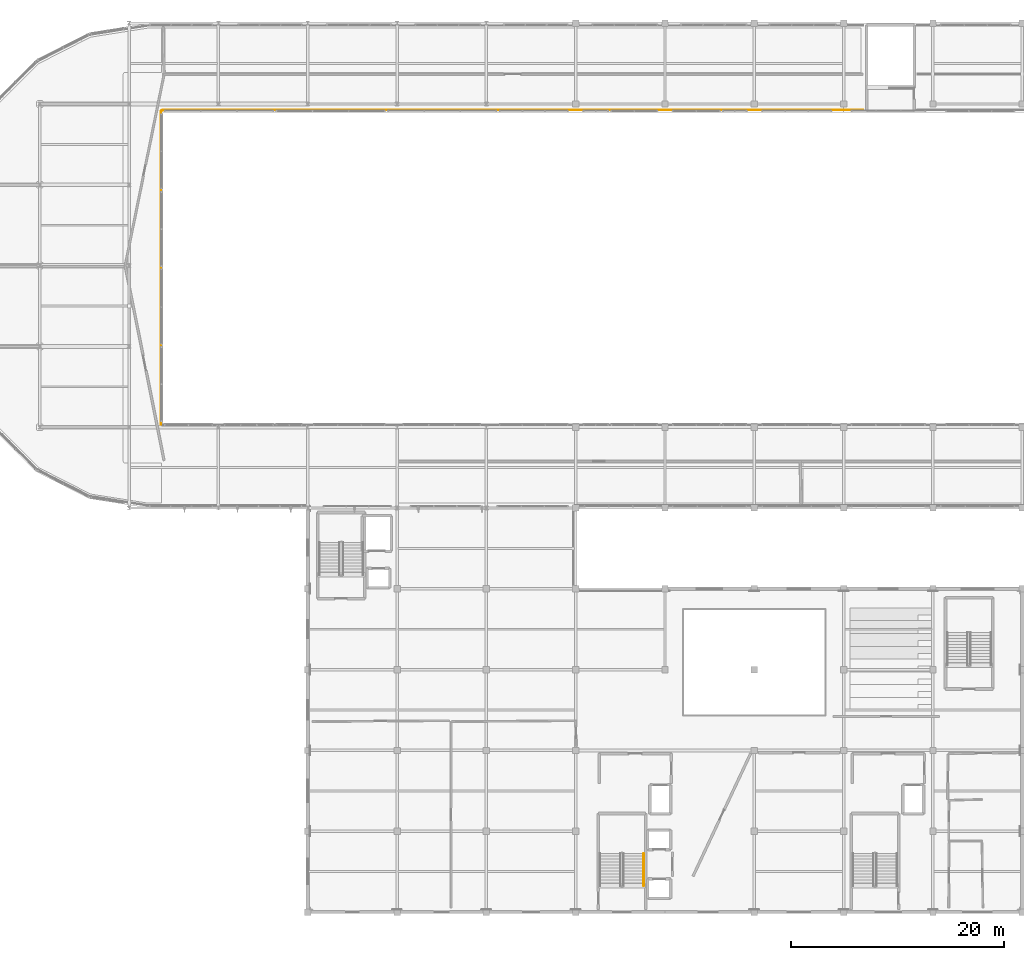
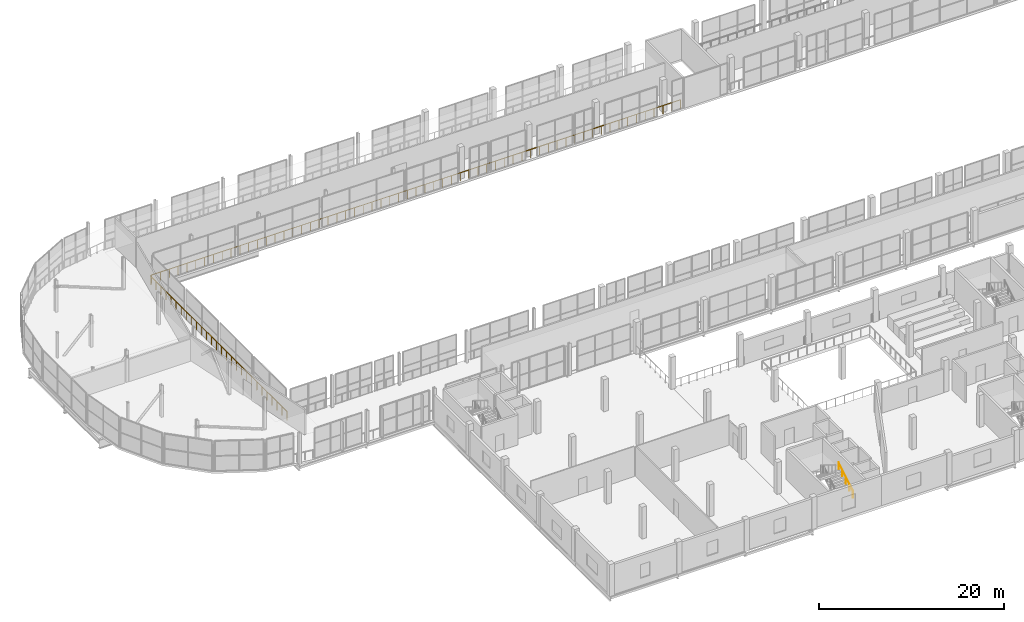
# One storey, part 142 of 151: 2 railings.
"""IFC4 building model written with IfcOpenShell, lengths in metres."""

from ifc_helpers import new_model, si_unit, direction, frame, origin, origin_2d, place, context, subcontext, project, spatial, circle, extrude, material, type_object, element, save


model = new_model("IFC4")

# Units and contexts
model_context = context("Model", 3, precision=1e-05, world=origin(), true_north=direction((0.0, 1.0)))
body_context = subcontext(model_context, "Body", "Model", "MODEL_VIEW")
ifc_project = project(units=[si_unit("LENGTHUNIT", "METRE"), si_unit("AREAUNIT", "SQUARE_METRE"), si_unit("VOLUMEUNIT", "CUBIC_METRE"), si_unit("PLANEANGLEUNIT", "RADIAN"), si_unit("MASSUNIT", "GRAM", prefix="KILO")], contexts=[model_context])

# Site, building, storey
site_placement = place(None, origin())
site = spatial("IfcSite", under=ifc_project, at=site_placement, CompositionType="ELEMENT")
building_placement = place(site_placement, origin())
building = spatial("IfcBuilding", under=site, at=building_placement, Name="Zuvorla Pavilion Media Centre", CompositionType="ELEMENT")
storey_placement = place(building_placement, frame((0.0, 0.0, 13.800048828125)))
storey = spatial("IfcBuildingStorey", under=building, at=storey_placement, Name="L03", CompositionType="ELEMENT", Elevation=13.800048828125)

# Railings
ifc_material_1 = material(Name="Powder-coated steel balustrade guard", Category="steel")
railing_type_1 = type_object("IfcRailingType", Name="RL-INT-GRD", PredefinedType="BALUSTRADE", material=ifc_material_1)
railing_1_placement = place(storey_placement, frame((93.840087890625, 81.419921875, 0.0)))
element("IfcRailing", 1, at=railing_1_placement, inside=storey, type_object=railing_type_1, Name="L03 slab edge guard 114", PredefinedType="BALUSTRADE", context=body_context, shape_type="SweptSolid", body=[
    extrude(circle(Radius=0.02392578125, at=origin_2d()), frame((-0.02880859375, 0.0, 1.09619140625), z_axis=(-1.0, 0.0, 0.0), x_axis=(0.0, -1.0, 0.0)), (0.0, 0.0, 1.0), 65.782470703125),
    extrude(circle(Radius=0.02392578125, at=origin_2d()), frame((-65.84326171875, -0.000244140625, 1.09619140625), z_axis=(-0.99896854021, -0.045407660919, 0.0), x_axis=(0.045407660919, -0.99896854021, 0.0)), (0.0, 0.0, 1.0), 0.02001953125),
    extrude(circle(Radius=0.02392578125, at=origin_2d()), frame((-65.86474609375, -0.00146484375, 1.09619140625), z_axis=(-0.989263736218, -0.146141233759, 0.0), x_axis=(0.146141233759, -0.989263736218, 0.0)), (0.0, 0.0, 1.0), 0.02001953125),
    extrude(circle(Radius=0.02392578125, at=origin_2d()), frame((-65.88623046875, -0.0048828125, 1.09619140625), z_axis=(-0.968802704478, -0.247833249983, 0.0), x_axis=(0.247833249983, -0.968802704478, 0.0)), (0.0, 0.0, 1.0), 0.02001953125),
    extrude(circle(Radius=0.02392578125, at=origin_2d()), frame((-65.906982421875, -0.010498046875, 1.09619140625), z_axis=(-0.94403554212, -0.329843743632, 0.0), x_axis=(0.329843743632, -0.94403554212, 0.0)), (0.0, 0.0, 1.0), 0.02001953125),
    extrude(circle(Radius=0.02392578125, at=origin_2d()), frame((-65.92724609375, -0.01806640625, 1.09619140625), z_axis=(-0.903277504354, -0.429056814568, 0.0), x_axis=(0.429056814568, -0.903277504354, 0.0)), (0.0, 0.0, 1.0), 0.02001953125),
    extrude(circle(Radius=0.02392578125, at=origin_2d()), frame((-65.946533203125, -0.027587890625, 1.09619140625), z_axis=(-0.855500079018, -0.517802679406, 0.0), x_axis=(0.517802679406, -0.855500079018, 0.0)), (0.0, 0.0, 1.0), 0.02001953125),
    extrude(circle(Radius=0.02392578125, at=origin_2d()), frame((-65.965087890625, -0.0390625, 1.09619140625), z_axis=(-0.806766093747, -0.590870941899, 0.0), x_axis=(0.590870941899, -0.806766093747, 0.0)), (0.0, 0.0, 1.0), 0.02001953125),
    extrude(circle(Radius=0.02392578125, at=origin_2d()), frame((-65.982177734375, -0.052001953125, 1.09619140625), z_axis=(-0.740455314082, -0.672105592782, 0.0), x_axis=(0.672105592782, -0.740455314082, 0.0)), (0.0, 0.0, 1.0), 0.02001953125),
    extrude(circle(Radius=0.02392578125, at=origin_2d()), frame((-65.997802734375, -0.066650390625, 1.09619140625), z_axis=(-0.672672793996, -0.739940073396, 0.0), x_axis=(0.739940073396, -0.672672793996, 0.0)), (0.0, 0.0, 1.0), 0.02001953125),
    extrude(circle(Radius=0.02392578125, at=origin_2d()), frame((-66.01220703125, -0.0830078125, 1.09619140625), z_axis=(-0.590870941899, -0.806766093747, 0.0), x_axis=(0.806766093747, -0.590870941899, 0.0)), (0.0, 0.0, 1.0), 0.02001953125),
    extrude(circle(Radius=0.02392578125, at=origin_2d()), frame((-66.024658203125, -0.100341796875, 1.09619140625), z_axis=(-0.517802679406, -0.855500079018, 0.0), x_axis=(0.855500079018, -0.517802679406, 0.0)), (0.0, 0.0, 1.0), 0.02001953125),
    extrude(circle(Radius=0.02392578125, at=origin_2d()), frame((-66.03564453125, -0.119140625, 1.09619140625), z_axis=(-0.429056814568, -0.903277504354, 0.0), x_axis=(0.903277504354, -0.429056814568, 0.0)), (0.0, 0.0, 1.0), 0.02001953125),
    extrude(circle(Radius=0.02392578125, at=origin_2d()), frame((-66.04443359375, -0.138671875, 1.09619140625), z_axis=(-0.329843743632, -0.94403554212, 0.0), x_axis=(0.94403554212, -0.329843743632, 0.0)), (0.0, 0.0, 1.0), 0.02001953125),
    extrude(circle(Radius=0.02392578125, at=origin_2d()), frame((-66.05126953125, -0.1591796875, 1.09619140625), z_axis=(-0.247833249983, -0.968802704478, 0.0), x_axis=(0.968802704478, -0.247833249983, 0.0)), (0.0, 0.0, 1.0), 0.02001953125),
    extrude(circle(Radius=0.02392578125, at=origin_2d()), frame((-66.056396484375, -0.18017578125, 1.09619140625), z_axis=(-0.147784535061, -0.989019580795, 0.0), x_axis=(0.989019580795, -0.147784535061, 0.0)), (0.0, 0.0, 1.0), 0.02001953125),
    extrude(circle(Radius=0.02392578125, at=origin_2d()), frame((-66.059326171875, -0.201416015625, 1.09619140625), z_axis=(-0.044898496809, -0.99899155401, 0.0), x_axis=(0.99899155401, -0.044898496809, 0.0)), (0.0, 0.0, 1.0), 0.02001953125),
    extrude(circle(Radius=0.02392578125, at=origin_2d()), frame((-66.06005859375, -0.248779296875, 1.09619140625), z_axis=(0.0, -1.0, 0.0), x_axis=(1.0, 0.0, 0.0)), (0.0, 0.0, 1.0), 29.2822265625),
    extrude(circle(Radius=0.02099609375, at=origin_2d()), origin(), (0.0, 0.0, 1.0), 1.070068359375),
    extrude(circle(Radius=0.02099609375, at=origin_2d()), frame((-1.097412109375, 0.0, 0.0)), (0.0, 0.0, 1.0), 1.070068359375),
    extrude(circle(Radius=0.02099609375, at=origin_2d()), frame((-2.194580078125, 0.0, 0.0)), (0.0, 0.0, 1.0), 1.070068359375),
    extrude(circle(Radius=0.02099609375, at=origin_2d()), frame((-3.2919921875, 0.0, 0.0)), (0.0, 0.0, 1.0), 1.070068359375),
    extrude(circle(Radius=0.02099609375, at=origin_2d()), frame((-4.389404296875, 0.0, 0.0)), (0.0, 0.0, 1.0), 1.070068359375),
    extrude(circle(Radius=0.02099609375, at=origin_2d()), frame((-5.486572265625, 0.0, 0.0)), (0.0, 0.0, 1.0), 1.070068359375),
    extrude(circle(Radius=0.02099609375, at=origin_2d()), frame((-6.583984375, 0.0, 0.0)), (0.0, 0.0, 1.0), 1.070068359375),
    extrude(circle(Radius=0.02099609375, at=origin_2d()), frame((-7.681396484375, 0.0, 0.0)), (0.0, 0.0, 1.0), 1.070068359375),
    extrude(circle(Radius=0.02099609375, at=origin_2d()), frame((-8.778564453125, 0.0, 0.0)), (0.0, 0.0, 1.0), 1.070068359375),
    extrude(circle(Radius=0.02099609375, at=origin_2d()), frame((-9.8759765625, 0.0, 0.0)), (0.0, 0.0, 1.0), 1.070068359375),
    extrude(circle(Radius=0.02099609375, at=origin_2d()), frame((-10.973388671875, 0.0, 0.0)), (0.0, 0.0, 1.0), 1.070068359375),
    extrude(circle(Radius=0.02099609375, at=origin_2d()), frame((-12.07080078125, 0.0, 0.0)), (0.0, 0.0, 1.0), 1.070068359375),
    extrude(circle(Radius=0.02099609375, at=origin_2d()), frame((-13.16796875, 0.0, 0.0)), (0.0, 0.0, 1.0), 1.070068359375),
    extrude(circle(Radius=0.02099609375, at=origin_2d()), frame((-14.265380859375, 0.0, 0.0)), (0.0, 0.0, 1.0), 1.070068359375),
    extrude(circle(Radius=0.02099609375, at=origin_2d()), frame((-15.36279296875, 0.0, 0.0)), (0.0, 0.0, 1.0), 1.070068359375),
    extrude(circle(Radius=0.02099609375, at=origin_2d()), frame((-16.4599609375, 0.0, 0.0)), (0.0, 0.0, 1.0), 1.070068359375),
    extrude(circle(Radius=0.02099609375, at=origin_2d()), frame((-17.557373046875, 0.0, 0.0)), (0.0, 0.0, 1.0), 1.070068359375),
    extrude(circle(Radius=0.02099609375, at=origin_2d()), frame((-18.65478515625, 0.0, 0.0)), (0.0, 0.0, 1.0), 1.070068359375),
    extrude(circle(Radius=0.02099609375, at=origin_2d()), frame((-19.751953125, 0.0, 0.0)), (0.0, 0.0, 1.0), 1.070068359375),
    extrude(circle(Radius=0.02099609375, at=origin_2d()), frame((-20.849365234375, 0.0, 0.0)), (0.0, 0.0, 1.0), 1.070068359375),
    extrude(circle(Radius=0.02099609375, at=origin_2d()), frame((-21.94677734375, 0.0, 0.0)), (0.0, 0.0, 1.0), 1.070068359375),
    extrude(circle(Radius=0.02099609375, at=origin_2d()), frame((-23.0439453125, 0.0, 0.0)), (0.0, 0.0, 1.0), 1.070068359375),
    extrude(circle(Radius=0.02099609375, at=origin_2d()), frame((-24.141357421875, 0.0, 0.0)), (0.0, 0.0, 1.0), 1.070068359375),
    extrude(circle(Radius=0.02099609375, at=origin_2d()), frame((-25.23876953125, 0.0, 0.0)), (0.0, 0.0, 1.0), 1.070068359375),
    extrude(circle(Radius=0.02099609375, at=origin_2d()), frame((-26.3359375, 0.0, 0.0)), (0.0, 0.0, 1.0), 1.070068359375),
    extrude(circle(Radius=0.02099609375, at=origin_2d()), frame((-27.433349609375, 0.0, 0.0)), (0.0, 0.0, 1.0), 1.070068359375),
    extrude(circle(Radius=0.02099609375, at=origin_2d()), frame((-28.53076171875, 0.0, 0.0)), (0.0, 0.0, 1.0), 1.070068359375),
    extrude(circle(Radius=0.02099609375, at=origin_2d()), frame((-29.6279296875, 0.0, 0.0)), (0.0, 0.0, 1.0), 1.070068359375),
    extrude(circle(Radius=0.02099609375, at=origin_2d()), frame((-30.725341796875, 0.0, 0.0)), (0.0, 0.0, 1.0), 1.070068359375),
    extrude(circle(Radius=0.02099609375, at=origin_2d()), frame((-31.82275390625, 0.0, 0.0)), (0.0, 0.0, 1.0), 1.070068359375),
    extrude(circle(Radius=0.02099609375, at=origin_2d()), frame((-32.919921875, 0.0, 0.0)), (0.0, 0.0, 1.0), 1.070068359375),
    extrude(circle(Radius=0.02099609375, at=origin_2d()), frame((-34.017333984375, 0.0, 0.0)), (0.0, 0.0, 1.0), 1.070068359375),
    extrude(circle(Radius=0.02099609375, at=origin_2d()), frame((-35.11474609375, 0.0, 0.0)), (0.0, 0.0, 1.0), 1.070068359375),
    extrude(circle(Radius=0.02099609375, at=origin_2d()), frame((-36.212158203125, 0.0, 0.0)), (0.0, 0.0, 1.0), 1.070068359375),
    extrude(circle(Radius=0.02099609375, at=origin_2d()), frame((-37.309326171875, 0.0, 0.0)), (0.0, 0.0, 1.0), 1.070068359375),
    extrude(circle(Radius=0.02099609375, at=origin_2d()), frame((-38.40673828125, 0.0, 0.0)), (0.0, 0.0, 1.0), 1.070068359375),
    extrude(circle(Radius=0.02099609375, at=origin_2d()), frame((-39.504150390625, 0.0, 0.0)), (0.0, 0.0, 1.0), 1.070068359375),
    extrude(circle(Radius=0.02099609375, at=origin_2d()), frame((-40.601318359375, 0.0, 0.0)), (0.0, 0.0, 1.0), 1.070068359375),
    extrude(circle(Radius=0.02099609375, at=origin_2d()), frame((-41.69873046875, 0.0, 0.0)), (0.0, 0.0, 1.0), 1.070068359375),
    extrude(circle(Radius=0.02099609375, at=origin_2d()), frame((-42.796142578125, 0.0, 0.0)), (0.0, 0.0, 1.0), 1.070068359375),
    extrude(circle(Radius=0.02099609375, at=origin_2d()), frame((-43.893310546875, 0.0, 0.0)), (0.0, 0.0, 1.0), 1.070068359375),
    extrude(circle(Radius=0.02099609375, at=origin_2d()), frame((-44.99072265625, 0.0, 0.0)), (0.0, 0.0, 1.0), 1.070068359375),
    extrude(circle(Radius=0.02099609375, at=origin_2d()), frame((-46.088134765625, 0.0, 0.0)), (0.0, 0.0, 1.0), 1.070068359375),
    extrude(circle(Radius=0.02099609375, at=origin_2d()), frame((-47.185302734375, 0.0, 0.0)), (0.0, 0.0, 1.0), 1.070068359375),
    extrude(circle(Radius=0.02099609375, at=origin_2d()), frame((-48.28271484375, 0.0, 0.0)), (0.0, 0.0, 1.0), 1.070068359375),
    extrude(circle(Radius=0.02099609375, at=origin_2d()), frame((-49.380126953125, 0.0, 0.0)), (0.0, 0.0, 1.0), 1.070068359375),
    extrude(circle(Radius=0.02099609375, at=origin_2d()), frame((-50.477294921875, 0.0, 0.0)), (0.0, 0.0, 1.0), 1.070068359375),
    extrude(circle(Radius=0.02099609375, at=origin_2d()), frame((-51.57470703125, 0.0, 0.0)), (0.0, 0.0, 1.0), 1.070068359375),
    extrude(circle(Radius=0.02099609375, at=origin_2d()), frame((-52.672119140625, 0.0, 0.0)), (0.0, 0.0, 1.0), 1.070068359375),
    extrude(circle(Radius=0.02099609375, at=origin_2d()), frame((-53.769287109375, 0.0, 0.0)), (0.0, 0.0, 1.0), 1.070068359375),
    extrude(circle(Radius=0.02099609375, at=origin_2d()), frame((-54.86669921875, 0.0, 0.0)), (0.0, 0.0, 1.0), 1.070068359375),
    extrude(circle(Radius=0.02099609375, at=origin_2d()), frame((-55.964111328125, 0.0, 0.0)), (0.0, 0.0, 1.0), 1.070068359375),
    extrude(circle(Radius=0.02099609375, at=origin_2d()), frame((-57.0615234375, 0.0, 0.0)), (0.0, 0.0, 1.0), 1.070068359375),
    extrude(circle(Radius=0.02099609375, at=origin_2d()), frame((-58.15869140625, 0.0, 0.0)), (0.0, 0.0, 1.0), 1.070068359375),
    extrude(circle(Radius=0.02099609375, at=origin_2d()), frame((-59.256103515625, 0.0, 0.0)), (0.0, 0.0, 1.0), 1.070068359375),
    extrude(circle(Radius=0.02099609375, at=origin_2d()), frame((-60.353515625, 0.0, 0.0)), (0.0, 0.0, 1.0), 1.070068359375),
    extrude(circle(Radius=0.02099609375, at=origin_2d()), frame((-61.45068359375, 0.0, 0.0)), (0.0, 0.0, 1.0), 1.070068359375),
    extrude(circle(Radius=0.02099609375, at=origin_2d()), frame((-62.548095703125, 0.0, 0.0)), (0.0, 0.0, 1.0), 1.070068359375),
    extrude(circle(Radius=0.02099609375, at=origin_2d()), frame((-63.6455078125, 0.0, 0.0)), (0.0, 0.0, 1.0), 1.070068359375),
    extrude(circle(Radius=0.02099609375, at=origin_2d()), frame((-64.74267578125, 0.0, 0.0)), (0.0, 0.0, 1.0), 1.070068359375),
    extrude(circle(Radius=0.02099609375, at=origin_2d()), frame((-65.840087890625, 0.0, 0.0)), (0.0, 0.0, 1.0), 1.070068359375),
    extrude(circle(Radius=0.02099609375, at=origin_2d()), frame((-65.861572265625, -0.0009765625, 0.0)), (0.0, 0.0, 1.0), 1.070068359375),
    extrude(circle(Radius=0.02099609375, at=origin_2d()), frame((-65.883056640625, -0.004150390625, 0.0)), (0.0, 0.0, 1.0), 1.070068359375),
    extrude(circle(Radius=0.02099609375, at=origin_2d()), frame((-65.904052734375, -0.009521484375, 0.0)), (0.0, 0.0, 1.0), 1.070068359375),
    extrude(circle(Radius=0.02099609375, at=origin_2d()), frame((-65.92431640625, -0.0166015625, 0.0)), (0.0, 0.0, 1.0), 1.070068359375),
    extrude(circle(Radius=0.02099609375, at=origin_2d()), frame((-65.94384765625, -0.02587890625, 0.0)), (0.0, 0.0, 1.0), 1.070068359375),
    extrude(circle(Radius=0.02099609375, at=origin_2d()), frame((-65.96240234375, -0.037109375, 0.0)), (0.0, 0.0, 1.0), 1.070068359375),
    extrude(circle(Radius=0.02099609375, at=origin_2d()), frame((-65.979736328125, -0.0498046875, 0.0)), (0.0, 0.0, 1.0), 1.070068359375),
    extrude(circle(Radius=0.02099609375, at=origin_2d()), frame((-65.99560546875, -0.064208984375, 0.0)), (0.0, 0.0, 1.0), 1.070068359375),
    extrude(circle(Radius=0.02099609375, at=origin_2d()), frame((-66.01025390625, -0.080322265625, 0.0)), (0.0, 0.0, 1.0), 1.070068359375),
    extrude(circle(Radius=0.02099609375, at=origin_2d()), frame((-66.02294921875, -0.09765625, 0.0)), (0.0, 0.0, 1.0), 1.070068359375),
    extrude(circle(Radius=0.02099609375, at=origin_2d()), frame((-66.0341796875, -0.1162109375, 0.0)), (0.0, 0.0, 1.0), 1.070068359375),
    extrude(circle(Radius=0.02099609375, at=origin_2d()), frame((-66.04345703125, -0.1357421875, 0.0)), (0.0, 0.0, 1.0), 1.070068359375),
    extrude(circle(Radius=0.02099609375, at=origin_2d()), frame((-66.050537109375, -0.156005859375, 0.0)), (0.0, 0.0, 1.0), 1.070068359375),
    extrude(circle(Radius=0.02099609375, at=origin_2d()), frame((-66.055908203125, -0.177001953125, 0.0)), (0.0, 0.0, 1.0), 1.070068359375),
    extrude(circle(Radius=0.02099609375, at=origin_2d()), frame((-66.05908203125, -0.1982421875, 0.0)), (0.0, 0.0, 1.0), 1.070068359375),
    extrude(circle(Radius=0.02099609375, at=origin_2d()), frame((-66.06005859375, -0.219970703125, 0.0)), (0.0, 0.0, 1.0), 1.070068359375),
    extrude(circle(Radius=0.02099609375, at=origin_2d()), frame((-66.06005859375, -1.306640625, 0.0)), (0.0, 0.0, 1.0), 1.070068359375),
    extrude(circle(Radius=0.02099609375, at=origin_2d()), frame((-66.06005859375, -2.393310546875, 0.0)), (0.0, 0.0, 1.0), 1.070068359375),
    extrude(circle(Radius=0.02099609375, at=origin_2d()), frame((-66.06005859375, -3.47998046875, 0.0)), (0.0, 0.0, 1.0), 1.070068359375),
    extrude(circle(Radius=0.02099609375, at=origin_2d()), frame((-66.06005859375, -4.566650390625, 0.0)), (0.0, 0.0, 1.0), 1.070068359375),
    extrude(circle(Radius=0.02099609375, at=origin_2d()), frame((-66.06005859375, -5.6533203125, 0.0)), (0.0, 0.0, 1.0), 1.070068359375),
    extrude(circle(Radius=0.02099609375, at=origin_2d()), frame((-66.06005859375, -6.739990234375, 0.0)), (0.0, 0.0, 1.0), 1.070068359375),
    extrude(circle(Radius=0.02099609375, at=origin_2d()), frame((-66.06005859375, -7.82666015625, 0.0)), (0.0, 0.0, 1.0), 1.070068359375),
    extrude(circle(Radius=0.02099609375, at=origin_2d()), frame((-66.06005859375, -8.913330078125, 0.0)), (0.0, 0.0, 1.0), 1.070068359375),
    extrude(circle(Radius=0.02099609375, at=origin_2d()), frame((-66.06005859375, -10.0, 0.0)), (0.0, 0.0, 1.0), 1.070068359375),
    extrude(circle(Radius=0.02099609375, at=origin_2d()), frame((-66.06005859375, -11.086669921875, 0.0)), (0.0, 0.0, 1.0), 1.070068359375),
    extrude(circle(Radius=0.02099609375, at=origin_2d()), frame((-66.06005859375, -12.17333984375, 0.0)), (0.0, 0.0, 1.0), 1.070068359375),
    extrude(circle(Radius=0.02099609375, at=origin_2d()), frame((-66.06005859375, -13.260009765625, 0.0)), (0.0, 0.0, 1.0), 1.070068359375),
    extrude(circle(Radius=0.02099609375, at=origin_2d()), frame((-66.06005859375, -14.3466796875, 0.0)), (0.0, 0.0, 1.0), 1.070068359375),
    extrude(circle(Radius=0.02099609375, at=origin_2d()), frame((-66.06005859375, -15.43310546875, 0.0)), (0.0, 0.0, 1.0), 1.070068359375),
    extrude(circle(Radius=0.02099609375, at=origin_2d()), frame((-66.06005859375, -16.519775390625, 0.0)), (0.0, 0.0, 1.0), 1.070068359375),
    extrude(circle(Radius=0.02099609375, at=origin_2d()), frame((-66.06005859375, -17.6064453125, 0.0)), (0.0, 0.0, 1.0), 1.070068359375),
    extrude(circle(Radius=0.02099609375, at=origin_2d()), frame((-66.06005859375, -18.693115234375, 0.0)), (0.0, 0.0, 1.0), 1.070068359375),
    extrude(circle(Radius=0.02099609375, at=origin_2d()), frame((-66.06005859375, -19.77978515625, 0.0)), (0.0, 0.0, 1.0), 1.070068359375),
    extrude(circle(Radius=0.02099609375, at=origin_2d()), frame((-66.06005859375, -20.866455078125, 0.0)), (0.0, 0.0, 1.0), 1.070068359375),
    extrude(circle(Radius=0.02099609375, at=origin_2d()), frame((-66.06005859375, -21.953125, 0.0)), (0.0, 0.0, 1.0), 1.070068359375),
    extrude(circle(Radius=0.02099609375, at=origin_2d()), frame((-66.06005859375, -23.039794921875, 0.0)), (0.0, 0.0, 1.0), 1.070068359375),
    extrude(circle(Radius=0.02099609375, at=origin_2d()), frame((-66.06005859375, -24.12646484375, 0.0)), (0.0, 0.0, 1.0), 1.070068359375),
    extrude(circle(Radius=0.02099609375, at=origin_2d()), frame((-66.06005859375, -25.213134765625, 0.0)), (0.0, 0.0, 1.0), 1.070068359375),
    extrude(circle(Radius=0.02099609375, at=origin_2d()), frame((-66.06005859375, -26.2998046875, 0.0)), (0.0, 0.0, 1.0), 1.070068359375),
    extrude(circle(Radius=0.02099609375, at=origin_2d()), frame((-66.06005859375, -27.386474609375, 0.0)), (0.0, 0.0, 1.0), 1.070068359375),
    extrude(circle(Radius=0.02099609375, at=origin_2d()), frame((-66.06005859375, -28.47314453125, 0.0)), (0.0, 0.0, 1.0), 1.070068359375),
    extrude(circle(Radius=0.02099609375, at=origin_2d()), frame((-66.06005859375, -29.559814453125, 0.0)), (0.0, 0.0, 1.0), 1.070068359375),
])
ifc_material_2 = material(Name="Brushed stainless steel tubular handrail", Category="steel")
railing_type_2 = type_object("IfcRailingType", Name="RL-INT-HND", PredefinedType="HANDRAIL", material=ifc_material_2)
railing_2_placement = place(storey_placement, frame((73.199951171875, 8.449951171875, 0.175048828125)))
element("IfcRailing", 2, at=railing_2_placement, inside=storey, type_object=railing_type_2, Name="L03 ST-01 handrail 1", PredefinedType="HANDRAIL", context=body_context, shape_type="SweptSolid", body=[
    extrude(circle(Radius=0.02392578125, at=origin_2d()), frame((0.0, 0.0244140625, 0.89111328125), z_axis=(0.0, 0.848028513186, 0.529950602248), x_axis=(-1.0, 0.0, 0.0)), (0.0, 0.0, 1.0), 3.57421875),
    extrude(circle(Radius=0.02099609375, at=origin_2d()), origin(), (0.0, 0.0, 1.0), 0.849853515625),
    extrude(circle(Radius=0.02099609375, at=origin_2d()), frame((0.0, 0.77001953125, 0.481201171875)), (0.0, 0.0, 1.0), 0.849853515625),
    extrude(circle(Radius=0.02099609375, at=origin_2d()), frame((0.0, 1.5400390625, 0.96240234375)), (0.0, 0.0, 1.0), 0.849853515625),
    extrude(circle(Radius=0.02099609375, at=origin_2d()), frame((0.0, 2.31005859375, 1.443603515625)), (0.0, 0.0, 1.0), 0.849853515625),
    extrude(circle(Radius=0.02099609375, at=origin_2d()), frame((0.0, 3.080078125, 1.9248046875)), (0.0, 0.0, 1.0), 0.849853515625),
])

save(model, "model.ifc")
